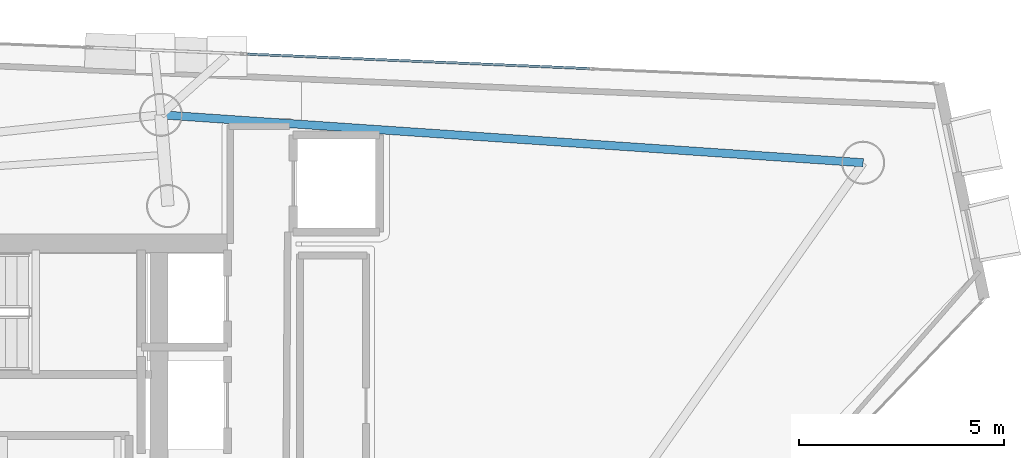
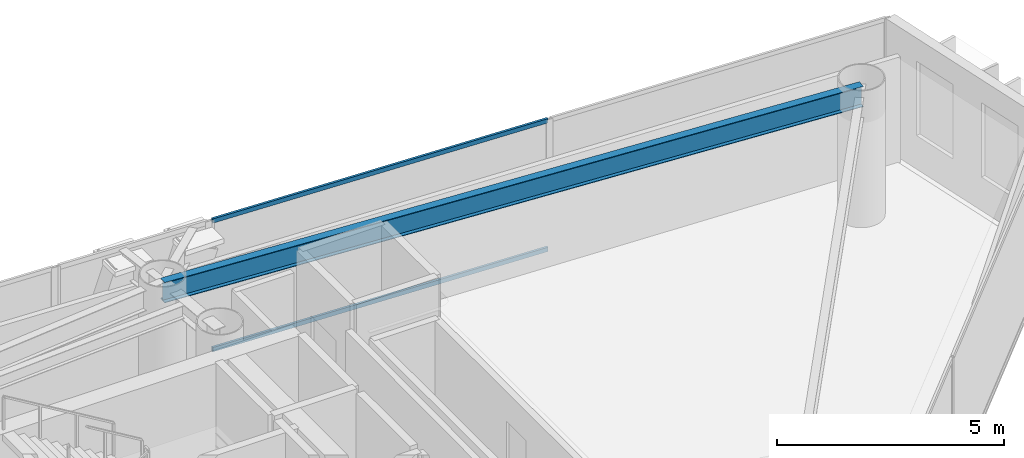
# One storey, part 12 of 21: 2 members, 1 beam, 1 element without a shape of its own.
"""IFC4 building model written with IfcOpenShell, lengths in metres."""

from ifc_helpers import new_model, si_unit, direction, frame, origin, origin_2d, place, context, subcontext, project, spatial, hollow_rectangle, i_section, extrude, material, layer, layer_set, material_profile, profile_set, type_object, element, aggregate, save


model = new_model("IFC4")

# Units and contexts
model_context = context("Model", 3, precision=1e-05, world=origin(), true_north=direction((0.0, 1.0)))
body_context = subcontext(model_context, "Body", "Model", "MODEL_VIEW")
ifc_project = project(units=[si_unit("LENGTHUNIT", "METRE"), si_unit("AREAUNIT", "SQUARE_METRE"), si_unit("VOLUMEUNIT", "CUBIC_METRE"), si_unit("PLANEANGLEUNIT", "RADIAN"), si_unit("MASSUNIT", "GRAM", prefix="KILO")], contexts=[model_context])

# Site, building, storey
site_placement = place(None, origin())
site = spatial("IfcSite", under=ifc_project, at=site_placement, CompositionType="ELEMENT")
building_placement = place(site_placement, origin())
building = spatial("IfcBuilding", under=site, at=building_placement, Name="Qianvela Tower", CompositionType="ELEMENT")
storey_placement = place(building_placement, frame((0.0, 0.0, 242.699951171875)))
storey = spatial("IfcBuildingStorey", under=building, at=storey_placement, Name="L62", CompositionType="ELEMENT", Elevation=242.699951171875)

# Beam
ifc_material_1 = material(Name="Steel Q355B", Category="steel")
ifc_material_profile_1 = material_profile(ifc_material_1, i_section(OverallWidth=0.199951171875, OverallDepth=0.550048828125, WebThickness=0.010009765625, FlangeThickness=0.01611328125, at=origin_2d()), Name="HN550x200x10x16")
ifc_profile_set_1 = profile_set([ifc_material_profile_1], Name="Steel Q355B")
beam_type = type_object("IfcBeamType", Name="BM-HN550-GIRD", PredefinedType="BEAM", material=ifc_profile_set_1)
beam_placement = place(storey_placement, frame((55.33203125, 34.60498046875, 3.2431640625), z_axis=(-0.997677407473, 0.068116008525, 0.0), x_axis=(-0.068116008525, -0.997677407473, 0.0)))
element("IfcBeam", 1, at=beam_placement, inside=storey, type_object=beam_type, Name="L62 Perimeter Ring Spandrel Girder 1", PredefinedType="BEAM", context=body_context, shape_type="SweptSolid", body=[
    extrude(i_section(OverallWidth=0.199951171875, OverallDepth=0.550048828125, WebThickness=0.010009765625, FlangeThickness=0.01611328125, at=origin_2d()), origin(), (0.0, 0.0, 1.0), 17.146728515625),
])

# Curtain wall, members
ifc_material_2 = material(Name="Anodised Architectural Aluminium and Low-E Glass", Category="aluminium")
ifc_layer = layer(ifc_material_2, 0.159912109375)
ifc_layer_set = layer_set([ifc_layer], Name="Anodised Architectural Aluminium and Low-E Glass")
curtain_wall_type = type_object("IfcCurtainWallType", Name="CW-COLIV-Z56", PredefinedType="USERDEFINED", material=ifc_layer_set)
curtain_wall_placement = place(storey_placement, origin())
curtain_wall = element("IfcCurtainWall", 2, at=curtain_wall_placement, inside=storey, type_object=curtain_wall_type, Name="L62 CW-COLIV-Z56 Curtain Wall 02A", ObjectType="CURTAIN_WALL_SYSTEM", PredefinedType="USERDEFINED")
ifc_material_3 = material(Name="Anodised Architectural Aluminium 6063-T6", Category="aluminium")
ifc_material_profile_2 = material_profile(ifc_material_3, hollow_rectangle(XDim=0.06005859375, YDim=0.114990234375, WallThickness=0.00390625, at=origin_2d()), Name="ALU-TRAN-60x115")
ifc_profile_set_2 = profile_set([ifc_material_profile_2], Name="Anodised Architectural Aluminium 6063-T6")
member_type = type_object("IfcMemberType", Name="CW-COLIV-Z56-TRAN", PredefinedType="USERDEFINED", material=ifc_profile_set_2)
member_1_placement = place(storey_placement, frame((48.671142578125, 36.898681640625, 0.030029296875), z_axis=(-0.999099462558, 0.042429517035, 0.0), x_axis=(-0.042429517035, -0.999099462558, 0.0)))
member_1 = element("IfcMember", 3, at=member_1_placement, type_object=member_type, Name="CW-5 transom 2.1", ObjectType="TRANSOM", PredefinedType="USERDEFINED", context=body_context, shape_type="SweptSolid", body=[
    extrude(hollow_rectangle(XDim=0.06005859375, YDim=0.114990234375, WallThickness=0.00390625, at=origin_2d()), origin(), (0.0, 0.0, 1.0), 8.337646484375),
])
member_2_placement = place(storey_placement, frame((48.671142578125, 36.898681640625, 3.489990234375), z_axis=(-0.999099462558, 0.042429517035, 0.0), x_axis=(-0.042429517035, -0.999099462558, 0.0)))
member_2 = element("IfcMember", 4, at=member_2_placement, type_object=member_type, Name="CW-5 transom 2.2", ObjectType="TRANSOM", PredefinedType="USERDEFINED", context=body_context, shape_type="SweptSolid", body=[
    extrude(hollow_rectangle(XDim=0.06005859375, YDim=0.114990234375, WallThickness=0.00390625, at=origin_2d()), origin(), (0.0, 0.0, 1.0), 8.337646484375),
])
aggregate(curtain_wall, [member_1, member_2])

save(model, "model.ifc")
